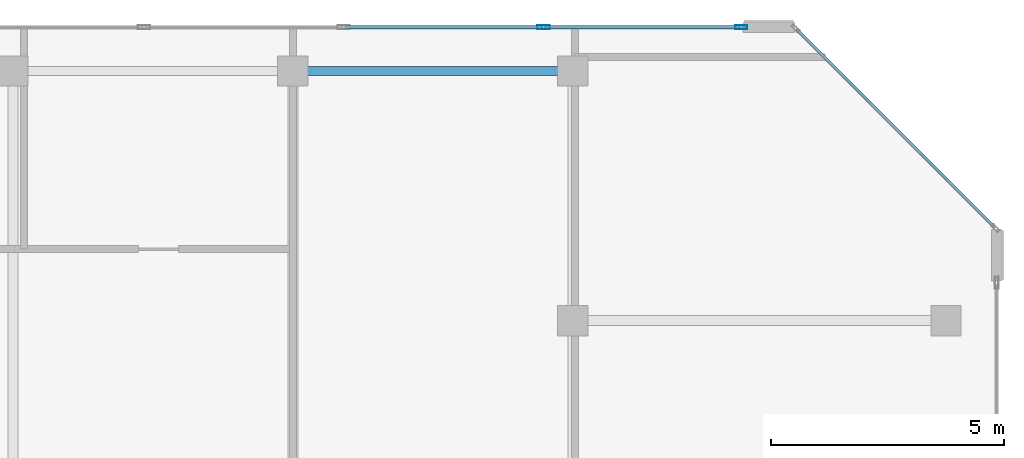
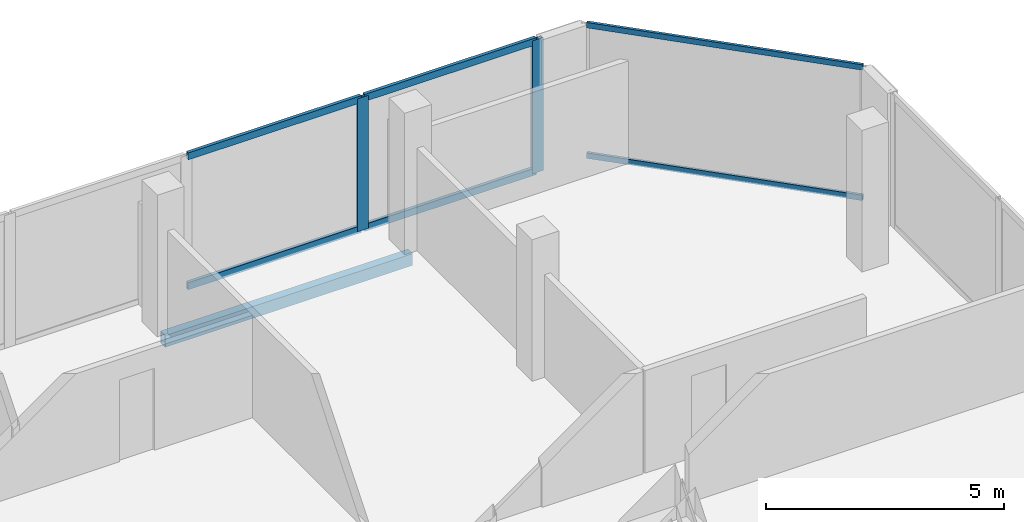
# One storey, part 20 of 28: 8 members, 1 beam, 2 elements without a shape of their own.
"""IFC4 building model written with IfcOpenShell, lengths in metres."""

from ifc_helpers import new_model, si_unit, direction, frame, origin, origin_2d, place, context, subcontext, project, spatial, hollow_rectangle, extrude, material, layer, layer_set, material_profile, profile_set, type_object, element, aggregate, save


model = new_model("IFC4")

# Units and contexts
model_context = context("Model", 3, precision=1e-05, world=origin(), true_north=direction((0.0, 1.0)))
body_context = subcontext(model_context, "Body", "Model", "MODEL_VIEW")
ifc_project = project(units=[si_unit("LENGTHUNIT", "METRE"), si_unit("AREAUNIT", "SQUARE_METRE"), si_unit("VOLUMEUNIT", "CUBIC_METRE"), si_unit("PLANEANGLEUNIT", "RADIAN"), si_unit("MASSUNIT", "GRAM", prefix="KILO")], contexts=[model_context])

# Site, building, storey
site_placement = place(None, origin())
site = spatial("IfcSite", under=ifc_project, at=site_placement, CompositionType="ELEMENT")
building_placement = place(site_placement, origin())
building = spatial("IfcBuilding", under=site, at=building_placement, Name="Tanjung Sevakor Pilgrim Tower", CompositionType="ELEMENT")
storey_placement = place(building_placement, frame((0.0, 0.0, 257.070068359375)))
storey = spatial("IfcBuildingStorey", under=building, at=storey_placement, Name="L72", CompositionType="ELEMENT", Elevation=257.070068359375)

# Beam
ifc_material_1 = material(Name="Steel S355J2", Category="steel")
ifc_material_profile_1 = material_profile(ifc_material_1, hollow_rectangle(XDim=0.199951171875, YDim=0.300048828125, WallThickness=0.012451171875, at=origin_2d()))
ifc_profile_set_1 = profile_set([ifc_material_profile_1], Name="Steel S355J2")
beam_type = type_object("IfcBeamType", Name="BM-B-SP3-RHS_300x200x12.5", PredefinedType="SPANDREL", material=ifc_profile_set_1)
beam_placement = place(storey_placement, frame((84.0, 53.949951171875, -0.3701171875), z_axis=(1.0, 0.0, 0.0), x_axis=(0.0, 1.0, 0.0)))
element("IfcBeam", 1, at=beam_placement, inside=storey, type_object=beam_type, Name="L72 Spandrel EAST N-06", PredefinedType="SPANDREL", context=body_context, shape_type="SweptSolid", body=[
    extrude(hollow_rectangle(XDim=0.199951171875, YDim=0.300048828125, WallThickness=0.012451171875, at=origin_2d()), origin(), (0.0, 0.0, 1.0), 6.0),
])

# Curtain wall, members
ifc_material_2 = material(Name="Aluminium 6063-T6 and Low-E Glass", Category="aluminium")
ifc_layer_1 = layer(ifc_material_2, 0.219970703125)
ifc_layer_set_1 = layer_set([ifc_layer_1], Name="CW-SYS-CRNE")
curtain_wall_type_1 = type_object("IfcCurtainWallType", Name="CW-SYS-CRNE", PredefinedType="NOTDEFINED", material=ifc_layer_set_1)
curtain_wall_1_placement = place(storey_placement, origin())
curtain_wall_1 = element("IfcCurtainWall", 2, at=curtain_wall_1_placement, inside=storey, type_object=curtain_wall_type_1, Name="L72 Curtain Wall CW-CRN-L72-EAST-4-1", PredefinedType="NOTDEFINED")
ifc_material_3 = material(Name="Aluminium 6063-T6", Category="aluminium")
ifc_material_profile_2 = material_profile(ifc_material_3, hollow_rectangle(XDim=0.080078125, YDim=0.260009765625, WallThickness=0.0048828125, at=origin_2d()))
ifc_profile_set_2 = profile_set([ifc_material_profile_2], Name="Aluminium 6063-T6")
member_type_1 = type_object("IfcMemberType", Name="TYPE-CWM-3", PredefinedType="MULLION", material=ifc_profile_set_2)
member_1_placement = place(storey_placement, frame((93.614501953125, 54.889892578125, 0.0), z_axis=(0.0, 0.0, 1.0), x_axis=(0.0, -1.0, 0.0)))
member_1 = element("IfcMember", 3, at=member_1_placement, type_object=member_type_1, Name="CW-CRE mullion 1", PredefinedType="MULLION", context=body_context, shape_type="SweptSolid", body=[
    extrude(hollow_rectangle(XDim=0.080078125, YDim=0.260009765625, WallThickness=0.0048828125, at=origin_2d()), origin(), (0.0, 0.0, 1.0), 3.409912109375),
])
member_2_placement = place(storey_placement, frame((89.37255859375, 54.889892578125, 0.0), z_axis=(0.0, 0.0, 1.0), x_axis=(0.0, -1.0, 0.0)))
member_2 = element("IfcMember", 4, at=member_2_placement, type_object=member_type_1, Name="CW-CRE mullion 2", PredefinedType="MULLION", context=body_context, shape_type="SweptSolid", body=[
    extrude(hollow_rectangle(XDim=0.080078125, YDim=0.260009765625, WallThickness=0.0048828125, at=origin_2d()), origin(), (0.0, 0.0, 1.0), 3.409912109375),
])

ifc_material_4 = material(Name="Aluminium 6063-T6 and Low-E Glass", Category="aluminium")
ifc_layer_2 = layer(ifc_material_4, 0.179931640625)
ifc_layer_set_2 = layer_set([ifc_layer_2], Name="CW-SYS-CHAM")
curtain_wall_type_2 = type_object("IfcCurtainWallType", Name="CW-SYS-CHAM", PredefinedType="NOTDEFINED", material=ifc_layer_set_2)
curtain_wall_2_placement = place(storey_placement, origin())
curtain_wall_2 = element("IfcCurtainWall", 5, at=curtain_wall_2_placement, inside=storey, type_object=curtain_wall_type_2, Name="L72 Curtain Wall CW-CHM-L72-EAST-3", PredefinedType="NOTDEFINED")
ifc_material_5 = material(Name="Aluminium 6063-T6", Category="aluminium")
ifc_material_profile_3 = material_profile(ifc_material_5, hollow_rectangle(XDim=0.06494140625, YDim=0.139892578125, WallThickness=0.00390625, at=origin_2d()))
ifc_profile_set_3 = profile_set([ifc_material_profile_3], Name="Aluminium 6063-T6")
member_type_2 = type_object("IfcMemberType", Name="TYPE-CWT-1", PredefinedType="USERDEFINED", material=ifc_profile_set_3)
member_3_placement = place(storey_placement, frame((99.0439453125, 50.600341796875, 0.032470703125), z_axis=(-0.707106781187, 0.707106781187, 0.0), x_axis=(-0.707106781187, -0.707106781187, 0.0)))
member_3 = element("IfcMember", 6, at=member_3_placement, type_object=member_type_2, Name="CW-CHM transom 1.1", ObjectType="TRANSOM", PredefinedType="USERDEFINED", context=body_context, shape_type="SweptSolid", body=[
    extrude(hollow_rectangle(XDim=0.06494140625, YDim=0.139892578125, WallThickness=0.00390625, at=origin_2d()), origin(), (0.0, 0.0, 1.0), 6.00146484375),
])
member_4_placement = place(storey_placement, frame((99.0439453125, 50.600341796875, 3.37744140625), z_axis=(-0.707106781187, 0.707106781187, 0.0), x_axis=(-0.707106781187, -0.707106781187, 0.0)))
member_4 = element("IfcMember", 7, at=member_4_placement, type_object=member_type_2, Name="CW-CHM transom 1.2", ObjectType="TRANSOM", PredefinedType="USERDEFINED", context=body_context, shape_type="SweptSolid", body=[
    extrude(hollow_rectangle(XDim=0.06494140625, YDim=0.139892578125, WallThickness=0.00390625, at=origin_2d()), origin(), (0.0, 0.0, 1.0), 6.00146484375),
])
aggregate(curtain_wall_2, [member_3, member_4])

# Member
ifc_material_6 = material(Name="Aluminium 6063-T6", Category="aluminium")
ifc_material_profile_4 = material_profile(ifc_material_6, hollow_rectangle(XDim=0.080078125, YDim=0.179931640625, WallThickness=0.0048828125, at=origin_2d()))
ifc_profile_set_4 = profile_set([ifc_material_profile_4], Name="Aluminium 6063-T6")
member_type_3 = type_object("IfcMemberType", Name="TYPE-CWT-3", PredefinedType="USERDEFINED", material=ifc_profile_set_4)
member_5_placement = place(storey_placement, frame((93.574462890625, 54.889892578125, 0.0400390625), z_axis=(-1.0, 0.0, 0.0), x_axis=(0.0, -1.0, 0.0)))
member_5 = element("IfcMember", 8, at=member_5_placement, type_object=member_type_3, Name="CW-CRE transom 1.1", ObjectType="TRANSOM", PredefinedType="USERDEFINED", context=body_context, shape_type="SweptSolid", body=[
    extrude(hollow_rectangle(XDim=0.080078125, YDim=0.179931640625, WallThickness=0.0048828125, at=origin_2d()), origin(), (0.0, 0.0, 1.0), 4.161865234375),
])

member_6_placement = place(storey_placement, frame((93.574462890625, 54.889892578125, 3.369873046875), z_axis=(-1.0, 0.0, 0.0), x_axis=(0.0, -1.0, 0.0)))
member_6 = element("IfcMember", 9, at=member_6_placement, type_object=member_type_3, Name="CW-CRE transom 1.2", ObjectType="TRANSOM", PredefinedType="USERDEFINED", context=body_context, shape_type="SweptSolid", body=[
    extrude(hollow_rectangle(XDim=0.080078125, YDim=0.179931640625, WallThickness=0.0048828125, at=origin_2d()), origin(), (0.0, 0.0, 1.0), 4.161865234375),
])

member_7_placement = place(storey_placement, frame((89.33251953125, 54.889892578125, 0.0400390625), z_axis=(-1.0, 0.0, 0.0), x_axis=(0.0, -1.0, 0.0)))
member_7 = element("IfcMember", 10, at=member_7_placement, type_object=member_type_3, Name="CW-CRE transom 2.1", ObjectType="TRANSOM", PredefinedType="USERDEFINED", context=body_context, shape_type="SweptSolid", body=[
    extrude(hollow_rectangle(XDim=0.080078125, YDim=0.179931640625, WallThickness=0.0048828125, at=origin_2d()), origin(), (0.0, 0.0, 1.0), 4.20166015625),
])

member_8_placement = place(storey_placement, frame((89.33251953125, 54.889892578125, 3.369873046875), z_axis=(-1.0, 0.0, 0.0), x_axis=(0.0, -1.0, 0.0)))
member_8 = element("IfcMember", 11, at=member_8_placement, type_object=member_type_3, Name="CW-CRE transom 2.2", ObjectType="TRANSOM", PredefinedType="USERDEFINED", context=body_context, shape_type="SweptSolid", body=[
    extrude(hollow_rectangle(XDim=0.080078125, YDim=0.179931640625, WallThickness=0.0048828125, at=origin_2d()), origin(), (0.0, 0.0, 1.0), 4.20166015625),
])

aggregate(curtain_wall_1, [member_1, member_2, member_5, member_6, member_7, member_8])

save(model, "model.ifc")
